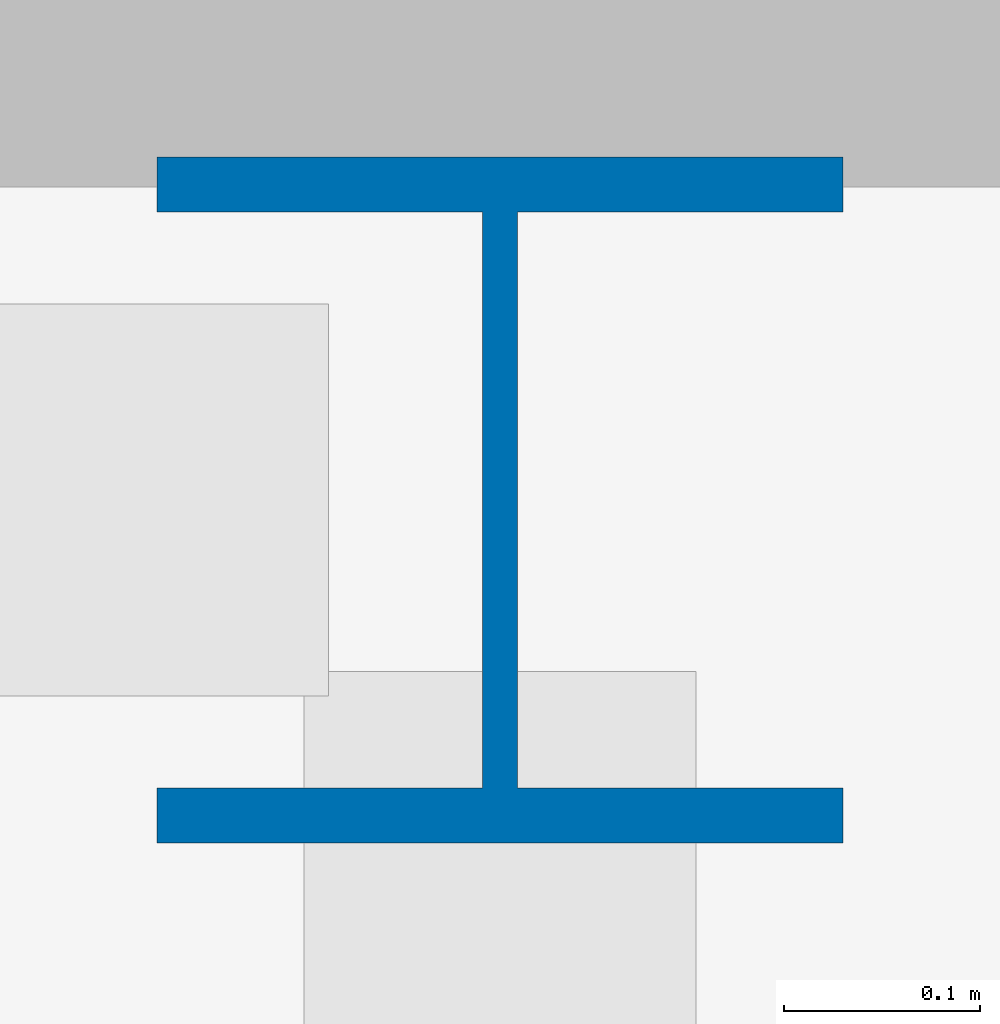
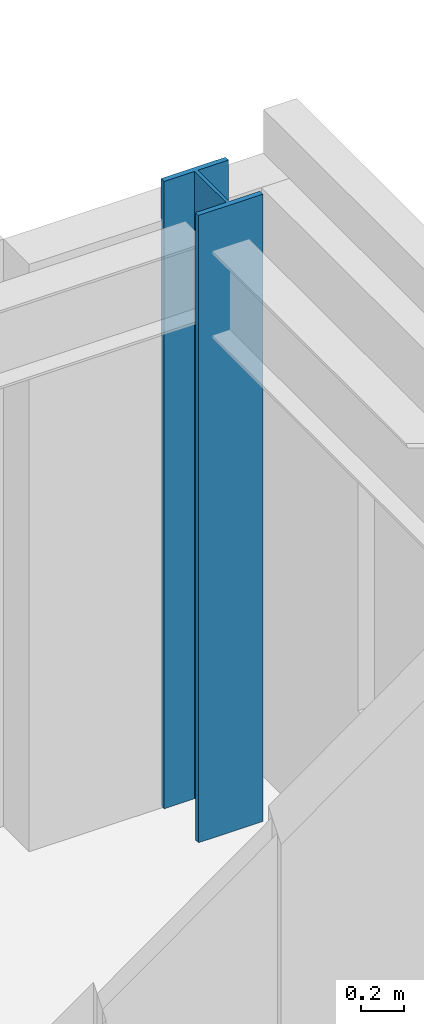
# One storey, part 4 of 22: 1 column.
"""IFC4 building model written with IfcOpenShell, lengths in metres."""

import ifcopenshell
import ifcopenshell.guid

model = None  # the IFC model being written
_history = None  # IfcOwnerHistory: only IFC2X3 demands one
_inside = {}  # id of a spatial element -> (the spatial element, [elements in it])
_under = {}  # id of a project, library or spatial element -> (it, [spatial elements below it])
_declared = {}  # id of a project -> (the project, [libraries it declares])
_typed = {}  # id of a type object -> (the type object, [elements of that type])
_made_of = {}  # id of a material, layer set ... -> (it, [elements and type objects made of it])


def new_model(schema):
    """Start an empty IFC model of exactly this schema.

    Asked for "IFC4X3", IfcOpenShell would pick the latest addendum, in which some entities
    have other attributes; the version numbers below select the first issue.
    IFC2X3 requires an IfcOwnerHistory on every rooted entity: one is made here for all.
    """
    global model, _history
    if schema == "IFC4X3":
        model = ifcopenshell.file(schema_version=(4, 3, 0, 0))
    else:
        model = ifcopenshell.file(schema=schema)
    _inside.clear()
    _under.clear()
    _declared.clear()
    _typed.clear()
    _made_of.clear()
    _history = None
    if model.schema == "IFC2X3":
        org = make("IfcOrganization", Name="unknown")
        user = make(
            "IfcPersonAndOrganization",
            ThePerson=make("IfcPerson", FamilyName="unknown"),
            TheOrganization=org,
        )
        app = make(
            "IfcApplication",
            ApplicationDeveloper=org,
            Version="unknown",
            ApplicationFullName="unknown",
            ApplicationIdentifier="unknown",
        )
        _history = make(
            "IfcOwnerHistory",
            OwningUser=user,
            OwningApplication=app,
            ChangeAction="ADDED",
            CreationDate=0,
        )
    return model


def make(cls, **values):
    """One entity of the class cls with the attributes given. An attribute that is None is left unset."""
    return model.create_entity(
        cls, **{name: value for name, value in values.items() if value is not None}
    )


def rooted(cls, **values):
    """An entity with a GlobalId (a new one), such as an element, a storey or a relation."""
    return make(cls, GlobalId=ifcopenshell.guid.new(), OwnerHistory=_history, **values)


def si_unit(unit_type, name, prefix=None):
    """IfcSIUnit, for example si_unit("LENGTHUNIT", "METRE", prefix="MILLI")."""
    return make("IfcSIUnit", UnitType=unit_type, Prefix=prefix, Name=name)


def assignment(units):
    """IfcUnitAssignment: the units of a project."""
    return None if units is None else make("IfcUnitAssignment", Units=units)


def point(xyz):
    """IfcCartesianPoint."""
    return None if xyz is None else make("IfcCartesianPoint", Coordinates=xyz)


def direction(xyz):
    """IfcDirection."""
    return None if xyz is None else make("IfcDirection", DirectionRatios=xyz)


def frame(location, z_axis=None, x_axis=None):
    """IfcAxis2Placement3D, a coordinate frame: its origin and axes. An axis left out is left unset."""
    return make(
        "IfcAxis2Placement3D",
        Location=point(location),
        Axis=direction(z_axis),
        RefDirection=direction(x_axis),
    )


def frame_2d(location, x_axis=None):
    """IfcAxis2Placement2D, a coordinate frame in the plane: its origin and x axis."""
    return make(
        "IfcAxis2Placement2D", Location=point(location), RefDirection=direction(x_axis)
    )


def origin():
    """The frame at (0, 0, 0) with its axes left unset."""
    return frame((0.0, 0.0, 0.0))


def origin_2d():
    """The frame at (0, 0) in the plane with its x axis left unset."""
    return frame_2d((0.0, 0.0))


def place(relative_to, where):
    """IfcLocalPlacement: puts the frame where relative to a parent placement (None: the world)."""
    return make(
        "IfcLocalPlacement", PlacementRelTo=relative_to, RelativePlacement=where
    )


def context(
    kind, dimensions, precision=None, world=None, true_north=None, identifier=None
):
    """IfcGeometricRepresentationContext, for example the 3D "Model" context."""
    return make(
        "IfcGeometricRepresentationContext",
        ContextIdentifier=identifier,
        ContextType=kind,
        CoordinateSpaceDimension=dimensions,
        Precision=precision,
        WorldCoordinateSystem=world,
        TrueNorth=true_north,
    )


def subcontext(parent, identifier, kind, view, scale=None):
    """IfcGeometricRepresentationSubContext, for example "Body" below "Model"."""
    return make(
        "IfcGeometricRepresentationSubContext",
        ContextIdentifier=identifier,
        ContextType=kind,
        ParentContext=parent,
        TargetScale=scale,
        TargetView=view,
    )


def project(units=None, contexts=None):
    """IfcProject with its units and contexts."""
    return rooted(
        "IfcProject",
        Name="project",
        RepresentationContexts=contexts,
        UnitsInContext=assignment(units),
    )


def spatial(cls, under=None, at=None, **own):
    """A site, building, storey or space (cls), placed at a placement, below another one or the project."""
    s = rooted(cls, ObjectPlacement=at, **own)
    if under is not None:
        _under.setdefault(under.id(), (under, []))[1].append(s)
    return s


def profile(cls, at=None, kind="AREA", **sizes):
    """A parametric profile (cls). Its sizes go by their IFC names, for example OverallWidth=200.0."""
    return make(cls, ProfileType=kind, Position=at, **sizes)


def i_section(**sizes):
    """IfcIShapeProfileDef."""
    return profile("IfcIShapeProfileDef", **sizes)


def extrude(swept, where, along, depth):
    """IfcExtrudedAreaSolid: the profile swept, set in the frame where, extruded along a direction by depth."""
    return make(
        "IfcExtrudedAreaSolid",
        SweptArea=swept,
        Position=where,
        ExtrudedDirection=direction(along),
        Depth=depth,
    )


def shape(context_of_items, identifier, shape_type, items):
    """IfcShapeRepresentation: the items that make up one representation, for example the "Body"."""
    return make(
        "IfcShapeRepresentation",
        ContextOfItems=context_of_items,
        RepresentationIdentifier=identifier,
        RepresentationType=shape_type,
        Items=items,
    )


def source(mapping_origin, context_of_items, identifier, shape_type, items):
    """IfcRepresentationMap: a shape defined once, which mapped items show again and again."""
    return make(
        "IfcRepresentationMap",
        MappingOrigin=mapping_origin,
        MappedRepresentation=shape(context_of_items, identifier, shape_type, items),
    )


def transform(
    local_origin,
    x_axis=None,
    y_axis=None,
    z_axis=None,
    scale=None,
    scale2=None,
    scale3=None,
    uniform=True,
):
    """IfcCartesianTransformationOperator3D, or its non-uniform kind. x_axis, y_axis, z_axis: its Axis1, 2, 3."""
    if uniform:
        return make(
            "IfcCartesianTransformationOperator3D",
            Axis1=direction(x_axis),
            Axis2=direction(y_axis),
            LocalOrigin=point(local_origin),
            Scale=scale,
            Axis3=direction(z_axis),
        )
    return make(
        "IfcCartesianTransformationOperator3DnonUniform",
        Axis1=direction(x_axis),
        Axis2=direction(y_axis),
        LocalOrigin=point(local_origin),
        Scale=scale,
        Axis3=direction(z_axis),
        Scale2=scale2,
        Scale3=scale3,
    )


def mapped(mapping_source, mapping_target):
    """IfcMappedItem: shows the shape of a source again, moved by a transform."""
    return make(
        "IfcMappedItem", MappingSource=mapping_source, MappingTarget=mapping_target
    )


def material(Name=None, Category=None):
    """IfcMaterial."""
    return make("IfcMaterial", Name=Name, Category=Category)


def material_profile(
    of_material, cross_section, Name=None, Category=None, Priority=None
):
    """IfcMaterialProfile: a cross section and its material."""
    return make(
        "IfcMaterialProfile",
        Name=Name,
        Material=of_material,
        Profile=cross_section,
        Priority=Priority,
        Category=Category,
    )


def profile_set(profiles, Name=None, composite=None):
    """IfcMaterialProfileSet."""
    return make(
        "IfcMaterialProfileSet",
        Name=Name,
        MaterialProfiles=profiles,
        CompositeProfile=composite,
    )


def made_of(thing, what):
    """Note that an element or type object is made of a material, layer set ...; save() writes the relation."""
    if what is not None:
        _made_of.setdefault(what.id(), (what, []))[1].append(thing)
    return thing


def type_object(cls, material=None, **own):
    """A type object (cls), such as IfcWallType, which elements share."""
    return made_of(rooted(cls, **own), material)


def element(
    cls,
    number,
    at=None,
    inside=None,
    cuts=None,
    type_object=None,
    material=None,
    context=None,
    identifier="Body",
    shape_type=None,
    held_by="IfcProductDefinitionShape",
    body=None,
    shapes=None,
    **own,
):
    """One element of the class cls, such as IfcWall. Its Tag is "e" and its number.

    at: its placement. inside: the storey or other place that contains it. cuts: it is an
    opening in that element (IfcRelVoidsElement). A single representation is given by context,
    identifier, shape_type and body (its items); several are given by shapes. held_by: the class
    of the entity that holds the representations. save() writes the other relations.
    """
    e = rooted(cls, Tag="e%d" % number, ObjectPlacement=at, **own)
    if body is not None:
        shapes = [shape(context, identifier, shape_type, body)]
    if shapes is not None:
        e.Representation = make(held_by, Representations=shapes)
    if inside is not None:
        _inside.setdefault(inside.id(), (inside, []))[1].append(e)
    if cuts is not None:
        rooted(
            "IfcRelVoidsElement", RelatingBuildingElement=cuts, RelatedOpeningElement=e
        )
    if type_object is not None:
        _typed.setdefault(type_object.id(), (type_object, []))[1].append(e)
    return made_of(e, material)


def aggregate(whole, parts):
    """IfcRelAggregates: a whole, such as a stair, and the parts it consists of."""
    return rooted("IfcRelAggregates", RelatingObject=whole, RelatedObjects=parts)


def save(model, path):
    """Write the relations noted so far, then the file.

    IfcRelAggregates (storeys below a building ...), IfcRelContainedInSpatialStructure (elements
    in a storey), IfcRelDefinesByType, IfcRelAssociatesMaterial and IfcRelDeclares: one each for
    every whole, place, type object, material and project.
    """
    for whole, parts in _under.values():
        aggregate(whole, parts)
    for where, things in _inside.values():
        rooted(
            "IfcRelContainedInSpatialStructure",
            RelatedElements=things,
            RelatingStructure=where,
        )
    for kind, things in _typed.values():
        rooted("IfcRelDefinesByType", RelatedObjects=things, RelatingType=kind)
    for what, things in _made_of.values():
        rooted("IfcRelAssociatesMaterial", RelatedObjects=things, RelatingMaterial=what)
    for by, libraries in _declared.values():
        rooted("IfcRelDeclares", RelatingContext=by, RelatedDefinitions=libraries)
    model.write(path)


model = new_model("IFC4")

# Units and contexts
model_context = context("Model", 3, precision=1e-05, world=origin(), true_north=direction((0.0, 1.0)))
body_context = subcontext(model_context, "Body", "Model", "MODEL_VIEW")
ifc_project = project(units=[si_unit("LENGTHUNIT", "METRE"), si_unit("AREAUNIT", "SQUARE_METRE"), si_unit("VOLUMEUNIT", "CUBIC_METRE"), si_unit("PLANEANGLEUNIT", "RADIAN"), si_unit("MASSUNIT", "GRAM", prefix="KILO")], contexts=[model_context])

# Site, building, storey
site_placement = place(None, origin())
site = spatial("IfcSite", under=ifc_project, at=site_placement, CompositionType="ELEMENT")
building_placement = place(site_placement, origin())
building = spatial("IfcBuilding", under=site, at=building_placement, Name="Trelvane Seafront Commons", CompositionType="ELEMENT")
storey_placement = place(building_placement, frame((0.0, 0.0, 277.5)))
storey = spatial("IfcBuildingStorey", under=building, at=storey_placement, Name="L72", CompositionType="ELEMENT", Elevation=277.5)

# Column
ifc_material = material(Name="Steel SM355 (S355)", Category="steel")
ifc_material_profile = material_profile(ifc_material, i_section(OverallWidth=0.35009765625, OverallDepth=0.35009765625, WebThickness=0.01806640625, FlangeThickness=0.028076171875, at=origin_2d()), Name="HD-350x350x18x28")
ifc_profile_set = profile_set([ifc_material_profile], Name="Steel SM355 (S355)")
column_type = type_object("IfcColumnType", Name="STR-COL-HD350", PredefinedType="COLUMN", material=ifc_profile_set)
shared_shape = source(origin(), body_context, "Body", "SweptSolid", [
    extrude(i_section(OverallWidth=0.35009765625, OverallDepth=0.35009765625, WebThickness=0.01806640625, FlangeThickness=0.028076171875, at=origin_2d()), origin(), (0.0, 0.0, 1.0), 3.60009765625),
])
column_placement = place(storey_placement, frame((65.60009765625, 45.10009765625, 0.0), z_axis=(0.0, 0.0, 1.0), x_axis=(1.0, 0.0, 0.0)))
element("IfcColumn", 1, at=column_placement, inside=storey, type_object=column_type, Name="L72 Column TC-CN65.6", PredefinedType="COLUMN", context=body_context, shape_type="MappedRepresentation", body=[
    mapped(shared_shape, transform((0.0, 0.0, 0.0), x_axis=(1.0, 0.0, 0.0), y_axis=(0.0, 1.0, 0.0), z_axis=(0.0, 0.0, 1.0), scale=1.0)),
])

save(model, "model.ifc")
